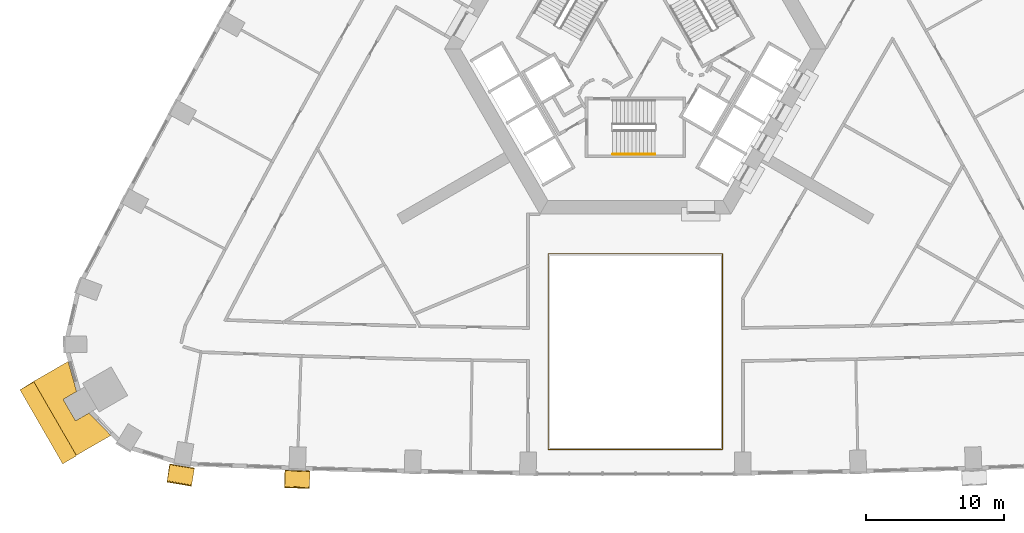
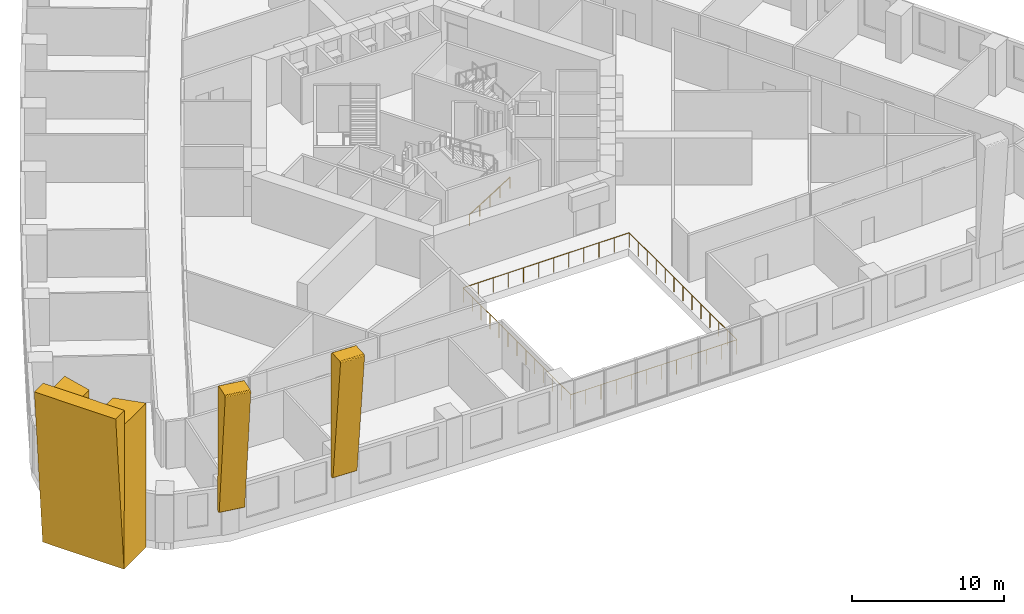
# One storey, part 13 of 15: 4 coverings, 2 railings.
"""IFC4 building model written with IfcOpenShell, lengths in metres."""

from ifc_helpers import new_model, si_unit, direction, frame, origin, origin_2d, place, context, subcontext, project, spatial, polyline, circle, outline, extrude, material, type_object, element, save


model = new_model("IFC4")

# Units and contexts
model_context = context("Model", 3, precision=1e-05, world=origin(), true_north=direction((0.0, 1.0)))
body_context = subcontext(model_context, "Body", "Model", "MODEL_VIEW")
ifc_project = project(units=[si_unit("LENGTHUNIT", "METRE"), si_unit("AREAUNIT", "SQUARE_METRE"), si_unit("VOLUMEUNIT", "CUBIC_METRE"), si_unit("PLANEANGLEUNIT", "RADIAN"), si_unit("MASSUNIT", "GRAM", prefix="KILO")], contexts=[model_context])

# Site, building, storey
site_placement = place(None, origin())
site = spatial("IfcSite", under=ifc_project, at=site_placement, CompositionType="ELEMENT")
building_placement = place(site_placement, origin())
building = spatial("IfcBuilding", under=site, at=building_placement, Name="Entoto Arch Interchange Tower", CompositionType="ELEMENT")
storey_placement = place(building_placement, frame((0.0, 0.0, 35.0)))
storey = spatial("IfcBuildingStorey", under=building, at=storey_placement, Name="L06", CompositionType="ELEMENT", Elevation=35.0)

# Railing
ifc_material_1 = material(Name="Stainless steel 1.4301", Category="steel")
railing_type_1 = type_object("IfcRailingType", Name="ATRIUM GUARD 1200 STEEL AND GLASS", PredefinedType="GUARDRAIL", material=ifc_material_1)
railing_1_placement = place(storey_placement, frame((6.320068359375, -26.577880859375, 0.0)))
element("IfcRailing", 1, at=railing_1_placement, inside=storey, type_object=railing_type_1, Name="Atrium guard L06", PredefinedType="GUARDRAIL", context=body_context, shape_type="SweptSolid", body=[
    extrude(circle(Radius=0.02392578125, at=origin_2d()), frame((0.0, 0.0, 1.17578125), z_axis=(-1.0, 0.0, 0.0), x_axis=(0.0, -1.0, 0.0)), (0.0, 0.0, 1.0), 12.64013671875),
    extrude(circle(Radius=0.02392578125, at=origin_2d()), frame((-12.64013671875, 0.0, 1.17578125), z_axis=(0.0, 1.0, 0.0), x_axis=(-1.0, 0.0, 0.0)), (0.0, 0.0, 1.0), 14.197998046875),
    extrude(circle(Radius=0.02392578125, at=origin_2d()), frame((-12.64013671875, 14.197998046875, 1.17578125), z_axis=(1.0, 0.0, 0.0), x_axis=(0.0, 1.0, 0.0)), (0.0, 0.0, 1.0), 12.64013671875),
    extrude(circle(Radius=0.02392578125, at=origin_2d()), frame((0.0, 14.197998046875, 1.17578125), z_axis=(0.0, -1.0, 0.0), x_axis=(1.0, 0.0, 0.0)), (0.0, 0.0, 1.0), 14.197998046875),
    extrude(circle(Radius=0.02099609375, at=origin_2d()), origin(), (0.0, 0.0, 1.0), 1.15185546875),
    extrude(circle(Radius=0.02099609375, at=origin_2d()), frame((-1.149169921875, 0.0, 0.0)), (0.0, 0.0, 1.0), 1.15185546875),
    extrude(circle(Radius=0.02099609375, at=origin_2d()), frame((-2.298095703125, 0.0, 0.0)), (0.0, 0.0, 1.0), 1.15185546875),
    extrude(circle(Radius=0.02099609375, at=origin_2d()), frame((-3.447265625, 0.0, 0.0)), (0.0, 0.0, 1.0), 1.15185546875),
    extrude(circle(Radius=0.02099609375, at=origin_2d()), frame((-4.596435546875, 0.0, 0.0)), (0.0, 0.0, 1.0), 1.15185546875),
    extrude(circle(Radius=0.02099609375, at=origin_2d()), frame((-5.74560546875, 0.0, 0.0)), (0.0, 0.0, 1.0), 1.15185546875),
    extrude(circle(Radius=0.02099609375, at=origin_2d()), frame((-6.89453125, 0.0, 0.0)), (0.0, 0.0, 1.0), 1.15185546875),
    extrude(circle(Radius=0.02099609375, at=origin_2d()), frame((-8.043701171875, 0.0, 0.0)), (0.0, 0.0, 1.0), 1.15185546875),
    extrude(circle(Radius=0.02099609375, at=origin_2d()), frame((-9.19287109375, 0.0, 0.0)), (0.0, 0.0, 1.0), 1.15185546875),
    extrude(circle(Radius=0.02099609375, at=origin_2d()), frame((-10.342041015625, 0.0, 0.0)), (0.0, 0.0, 1.0), 1.15185546875),
    extrude(circle(Radius=0.02099609375, at=origin_2d()), frame((-11.490966796875, 0.0, 0.0)), (0.0, 0.0, 1.0), 1.15185546875),
    extrude(circle(Radius=0.02099609375, at=origin_2d()), frame((-12.64013671875, 0.0, 0.0)), (0.0, 0.0, 1.0), 1.15185546875),
    extrude(circle(Radius=0.02099609375, at=origin_2d()), frame((-12.64013671875, 1.18310546875, 0.0)), (0.0, 0.0, 1.0), 1.15185546875),
    extrude(circle(Radius=0.02099609375, at=origin_2d()), frame((-12.64013671875, 2.3662109375, 0.0)), (0.0, 0.0, 1.0), 1.15185546875),
    extrude(circle(Radius=0.02099609375, at=origin_2d()), frame((-12.64013671875, 3.549560546875, 0.0)), (0.0, 0.0, 1.0), 1.15185546875),
    extrude(circle(Radius=0.02099609375, at=origin_2d()), frame((-12.64013671875, 4.732666015625, 0.0)), (0.0, 0.0, 1.0), 1.15185546875),
    extrude(circle(Radius=0.02099609375, at=origin_2d()), frame((-12.64013671875, 5.915771484375, 0.0)), (0.0, 0.0, 1.0), 1.15185546875),
    extrude(circle(Radius=0.02099609375, at=origin_2d()), frame((-12.64013671875, 7.09912109375, 0.0)), (0.0, 0.0, 1.0), 1.15185546875),
    extrude(circle(Radius=0.02099609375, at=origin_2d()), frame((-12.64013671875, 8.2822265625, 0.0)), (0.0, 0.0, 1.0), 1.15185546875),
    extrude(circle(Radius=0.02099609375, at=origin_2d()), frame((-12.64013671875, 9.46533203125, 0.0)), (0.0, 0.0, 1.0), 1.15185546875),
    extrude(circle(Radius=0.02099609375, at=origin_2d()), frame((-12.64013671875, 10.6484375, 0.0)), (0.0, 0.0, 1.0), 1.15185546875),
    extrude(circle(Radius=0.02099609375, at=origin_2d()), frame((-12.64013671875, 11.83154296875, 0.0)), (0.0, 0.0, 1.0), 1.15185546875),
    extrude(circle(Radius=0.02099609375, at=origin_2d()), frame((-12.64013671875, 13.014892578125, 0.0)), (0.0, 0.0, 1.0), 1.15185546875),
    extrude(circle(Radius=0.02099609375, at=origin_2d()), frame((-12.64013671875, 14.197998046875, 0.0)), (0.0, 0.0, 1.0), 1.15185546875),
    extrude(circle(Radius=0.02099609375, at=origin_2d()), frame((-11.490966796875, 14.197998046875, 0.0)), (0.0, 0.0, 1.0), 1.15185546875),
    extrude(circle(Radius=0.02099609375, at=origin_2d()), frame((-10.342041015625, 14.197998046875, 0.0)), (0.0, 0.0, 1.0), 1.15185546875),
    extrude(circle(Radius=0.02099609375, at=origin_2d()), frame((-9.19287109375, 14.197998046875, 0.0)), (0.0, 0.0, 1.0), 1.15185546875),
    extrude(circle(Radius=0.02099609375, at=origin_2d()), frame((-8.043701171875, 14.197998046875, 0.0)), (0.0, 0.0, 1.0), 1.15185546875),
    extrude(circle(Radius=0.02099609375, at=origin_2d()), frame((-6.89453125, 14.197998046875, 0.0)), (0.0, 0.0, 1.0), 1.15185546875),
    extrude(circle(Radius=0.02099609375, at=origin_2d()), frame((-5.74560546875, 14.197998046875, 0.0)), (0.0, 0.0, 1.0), 1.15185546875),
    extrude(circle(Radius=0.02099609375, at=origin_2d()), frame((-4.596435546875, 14.197998046875, 0.0)), (0.0, 0.0, 1.0), 1.15185546875),
    extrude(circle(Radius=0.02099609375, at=origin_2d()), frame((-3.447265625, 14.197998046875, 0.0)), (0.0, 0.0, 1.0), 1.15185546875),
    extrude(circle(Radius=0.02099609375, at=origin_2d()), frame((-2.298095703125, 14.197998046875, 0.0)), (0.0, 0.0, 1.0), 1.15185546875),
    extrude(circle(Radius=0.02099609375, at=origin_2d()), frame((-1.149169921875, 14.197998046875, 0.0)), (0.0, 0.0, 1.0), 1.15185546875),
    extrude(circle(Radius=0.02099609375, at=origin_2d()), frame((0.0, 14.197998046875, 0.0)), (0.0, 0.0, 1.0), 1.15185546875),
    extrude(circle(Radius=0.02099609375, at=origin_2d()), frame((0.0, 13.014892578125, 0.0)), (0.0, 0.0, 1.0), 1.15185546875),
    extrude(circle(Radius=0.02099609375, at=origin_2d()), frame((0.0, 11.83154296875, 0.0)), (0.0, 0.0, 1.0), 1.15185546875),
    extrude(circle(Radius=0.02099609375, at=origin_2d()), frame((0.0, 10.6484375, 0.0)), (0.0, 0.0, 1.0), 1.15185546875),
    extrude(circle(Radius=0.02099609375, at=origin_2d()), frame((0.0, 9.46533203125, 0.0)), (0.0, 0.0, 1.0), 1.15185546875),
    extrude(circle(Radius=0.02099609375, at=origin_2d()), frame((0.0, 8.2822265625, 0.0)), (0.0, 0.0, 1.0), 1.15185546875),
    extrude(circle(Radius=0.02099609375, at=origin_2d()), frame((0.0, 7.09912109375, 0.0)), (0.0, 0.0, 1.0), 1.15185546875),
    extrude(circle(Radius=0.02099609375, at=origin_2d()), frame((0.0, 5.915771484375, 0.0)), (0.0, 0.0, 1.0), 1.15185546875),
    extrude(circle(Radius=0.02099609375, at=origin_2d()), frame((0.0, 4.732666015625, 0.0)), (0.0, 0.0, 1.0), 1.15185546875),
    extrude(circle(Radius=0.02099609375, at=origin_2d()), frame((0.0, 3.549560546875, 0.0)), (0.0, 0.0, 1.0), 1.15185546875),
    extrude(circle(Radius=0.02099609375, at=origin_2d()), frame((0.0, 2.3662109375, 0.0)), (0.0, 0.0, 1.0), 1.15185546875),
    extrude(circle(Radius=0.02099609375, at=origin_2d()), frame((0.0, 1.18310546875, 0.0)), (0.0, 0.0, 1.0), 1.15185546875),
])

# Coverings
ifc_material_2 = material(Name="Board-marked precast concrete C50/60", Category="concrete")
covering_type = type_object("IfcCoveringType", Name="PRECAST FRAME COURSE", PredefinedType="CLADDING", material=ifc_material_2)
covering_1_placement = place(storey_placement, frame((0.0, 0.0, -0.60009765625)))
element("IfcCovering", 2, at=covering_1_placement, inside=storey, type_object=covering_type, Name="Corner pilaster SW L06-L08", PredefinedType="CLADDING", context=body_context, shape_type="SweptSolid", body=[
    extrude(outline(polyline([(-40.568115234375, -27.001953125), (-43.66796875, -21.632080078125), (-41.162109375, -20.18603515625), (-40.550048828125, -22.3720703125), (-41.528076171875, -22.93798828125), (-40.6279296875, -24.49609375), (-39.64892578125, -23.930908203125), (-38.06103515625, -25.554931640625), (-40.568115234375, -27.001953125)])), origin(), (0.0, 0.0, 1.0), 11.60009765625),
])
covering_2_placement = place(storey_placement, frame((-43.66796875, -21.632080078125, -0.60009765625), z_axis=(-0.499387028424, 0.866373546371, 0.003077984689), x_axis=(-0.076873014708, -0.047848560427, 0.995892089975)))
element("IfcCovering", 3, at=covering_2_placement, inside=storey, type_object=covering_type, Name="Corner rib SW L06-L08", PredefinedType="CLADDING", context=body_context, shape_type="SweptSolid", body=[
    extrude(outline(polyline([(0.0, 0.0), (12.852847167855957, 0.0), (12.747552184568184, 1.1587561033575229), (0.0, 0.0)])), origin(), (0.0, 0.0, -1.0), 6.199951171875),
])
covering_3_placement = place(storey_placement, frame((-33.847900390625, -27.903076171875, 2.18701171875), z_axis=(-0.986006435322, 0.166680050434, 0.003011692246), x_axis=(0.031780134818, 0.205670498832, -0.978105142069)))
element("IfcCovering", 4, at=covering_3_placement, inside=storey, type_object=covering_type, Name="Fold rib S01 L06-L08", PredefinedType="CLADDING", context=body_context, shape_type="SweptSolid", body=[
    extrude(outline(polyline([(0.0, 0.0), (0.029702977274473154, 1.734723475976807e-18), (0.05829208351312827, -0.005325647246545728), (0.08528972831456463, -0.016078547965163743), (0.11023749851360243, -0.0324359241357485), (0.1308621264214927, -0.05312052686478924), (0.14725542925881624, -0.0773709708400672), (0.15916268481266166, -0.10401439636159249), (0.16433797082073498, -0.1330328794822097), (0.16546149723887904, -0.16295496914056834), (0.15923823640176057, -0.1911989992489341), (0.1413194838635952, -0.2313251094279379), (0.12242359521009939, -0.2539770704051393), (0.10104088171395217, -0.273133570644098), (0.07426208889064029, -0.28687272314377193), (0.046768053309580275, -0.29608789801949986), (-9.599696092269669, -2.3471483630273147), (-9.64288965085523, -2.345914229721815), (-9.67136492178133, -2.3376110102878114), (-9.697620503296426, -2.324485221868501), (-9.721098406192775, -2.305638210792536), (-9.740005763769602, -2.2836454158324324), (-9.758657926985814, -2.2440756876154455), (-9.98489040752061, -1.1806958820699744), (-9.985046485716008, -1.1517985342604793), (-9.979790673101636, -1.1225297623032502), (-9.96932171239435, -1.095476185152414), (-9.953196708072925, -1.0703806735865464), (-9.932246730057717, -1.0491809169650796), (-9.908062096941592, -1.0326277817978502), (-9.88068851265071, -1.0216738385265782), (-9.851316702964565, -1.0154250556566957), (0.0, 0.0)])), origin(), (0.0, 0.0, -1.0), 1.800048828125),
])
covering_4_placement = place(storey_placement, frame((-25.448974609375, -28.35595703125, 2.31396484375), z_axis=(-0.999421822476, 0.033868261419, 0.002993597824), x_axis=(0.003759095785, 0.197574024697, -0.980280762825)))
element("IfcCovering", 5, at=covering_4_placement, inside=storey, type_object=covering_type, Name="Fold rib S02 L06-L08", PredefinedType="CLADDING", context=body_context, shape_type="SweptSolid", body=[
    extrude(outline(polyline([(0.0, 0.0), (0.02963749691622345, 8.673617379884035e-19), (0.05813400937278373, -0.005457041345741383), (0.0852074990289284, -0.01745734293228874), (0.10993784857162024, -0.033878715969013276), (0.1302248457364286, -0.054216331552663866), (0.1463523817353611, -0.07862813601580534), (0.15807927733905108, -0.10591820317032866), (0.16382301398995464, -0.1344142463128611), (0.1635353558421984, -0.1638770802057809), (0.15812443735909393, -0.19263864819213947), (0.13965724035114285, -0.23198847522675423), (0.1206873033006513, -0.25526063238122704), (0.09806815255561663, -0.27400752911482923), (0.07214107527859602, -0.28748113136672776), (0.04428830465968582, -0.2963309851587349), (-9.499700171327083, -2.2197932229634887), (-9.543034917986555, -2.2173270020680103), (-9.571392281519262, -2.208855020752246), (-9.597655026151834, -2.1947000420671223), (-9.6206682969531, -2.1768947659318267), (-9.639426570020003, -2.1542577561310385), (-9.65778036641413, -2.113866769826776), (-9.860791572120544, -1.106673915196493), (-9.861748781609217, -1.0772130912635534), (-9.855088406749712, -1.0484907631491356), (-9.844504156589396, -1.0206861462397283), (-9.827881100145401, -0.9968913994904516), (-9.80680175597527, -0.9754342361979325), (-9.78245537913507, -0.9590771818805685), (-9.755133202820767, -0.9475962904747214), (-9.726465011561983, -0.9427713358903643), (0.0, 0.0)])), origin(), (0.0, 0.0, -1.0), 1.800048828125),
])

# Railing
railing_type_2 = type_object("IfcRailingType", Name="STAIR HANDRAIL 900 STEEL", PredefinedType="HANDRAIL", material=ifc_material_1)
railing_2_placement = place(storey_placement, frame((-1.64990234375, -5.14990234375, 0.175048828125)))
element("IfcRailing", 6, at=railing_2_placement, inside=storey, type_object=railing_type_2, Name="L06 ST-S stair handrail 1", PredefinedType="HANDRAIL", context=body_context, shape_type="SweptSolid", body=[
    extrude(circle(Radius=0.02392578125, at=origin_2d()), frame((0.0, 0.0, 0.8759765625), z_axis=(0.847979421464, 0.0, 0.530029150871), x_axis=(0.0, 1.0, 0.0)), (0.0, 0.0, 1.0), 3.632080078125),
    extrude(circle(Radius=0.02099609375, at=origin_2d()), origin(), (0.0, 0.0, 1.0), 0.851806640625),
    extrude(circle(Radius=0.02099609375, at=origin_2d()), frame((0.77001953125, 0.0, 0.481201171875)), (0.0, 0.0, 1.0), 0.851806640625),
    extrude(circle(Radius=0.02099609375, at=origin_2d()), frame((1.5400390625, 0.0, 0.96240234375)), (0.0, 0.0, 1.0), 0.851806640625),
    extrude(circle(Radius=0.02099609375, at=origin_2d()), frame((2.309814453125, 0.0, 1.44384765625)), (0.0, 0.0, 1.0), 0.851806640625),
    extrude(circle(Radius=0.02099609375, at=origin_2d()), frame((3.079833984375, 0.0, 1.925048828125)), (0.0, 0.0, 1.0), 0.851806640625),
])

save(model, "model.ifc")
